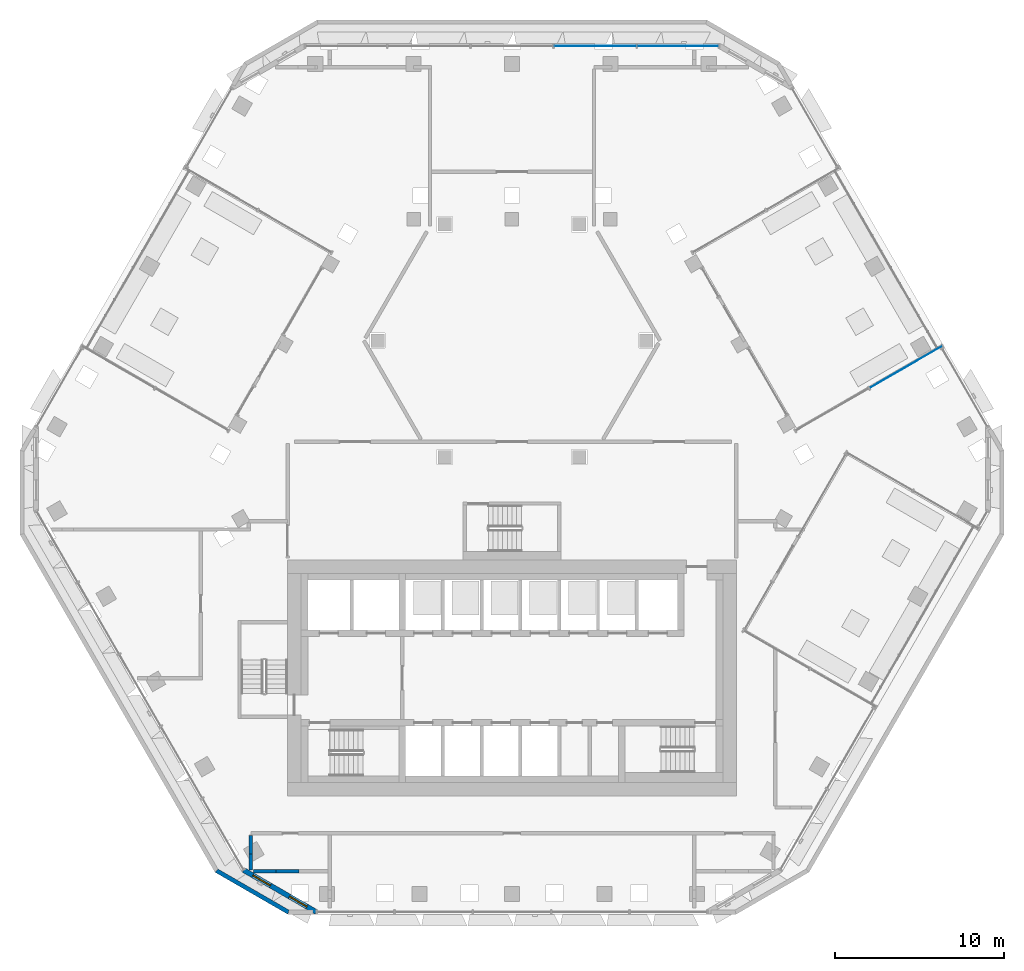
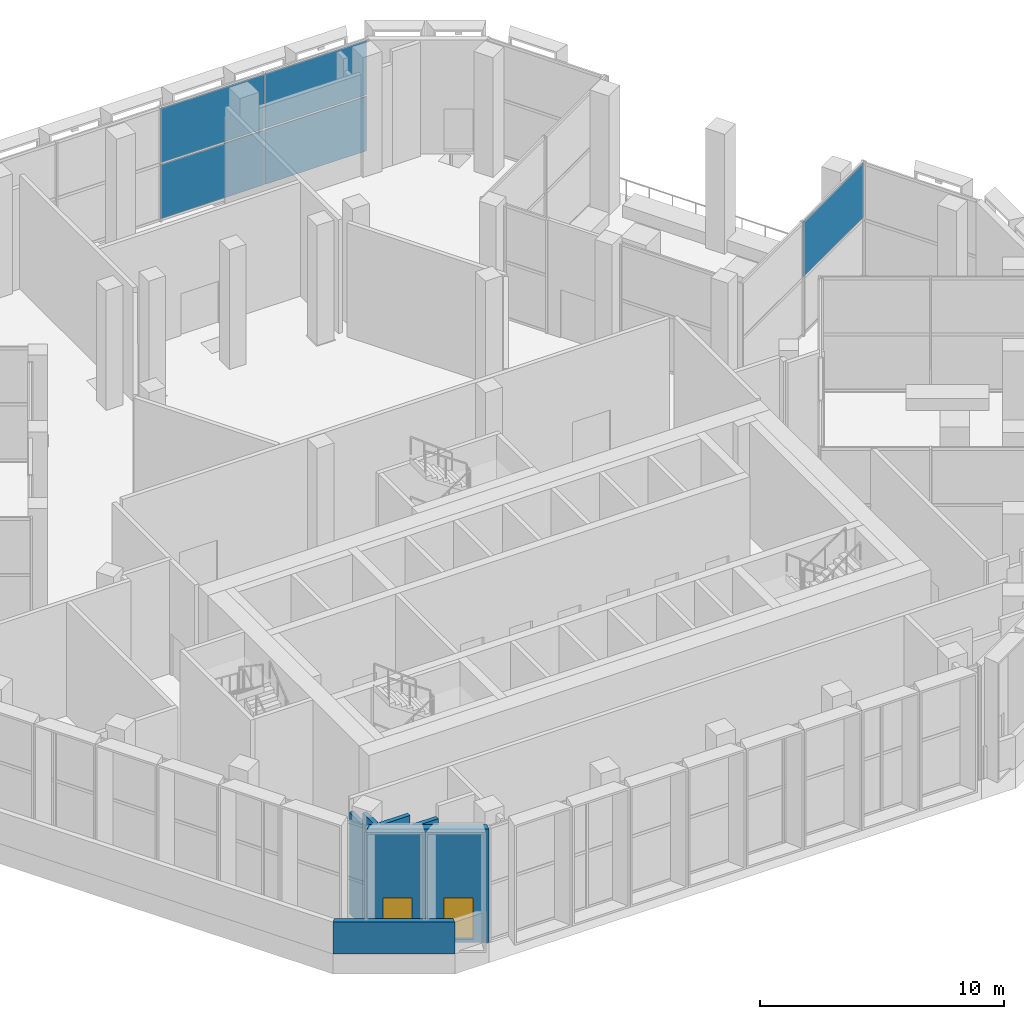
# One storey, part 9 of 27: 6 walls, 5 plates, 2 windows, 2 openings, 2 elements without a shape of their own.
"""IFC4 building model written with IfcOpenShell, lengths in metres."""

from ifc_helpers import new_model, si_unit, direction, frame, frame_2d, origin, origin_2d, place, context, subcontext, project, spatial, polyline, rectangle, outline, extrude, material, layer, layer_set, type_object, element, fill, aggregate, save


model = new_model("IFC4")

# Units and contexts
model_context = context("Model", 3, precision=1e-05, world=origin(), true_north=direction((0.0, 1.0)))
body_context = subcontext(model_context, "Body", "Model", "MODEL_VIEW")
ifc_project = project(units=[si_unit("LENGTHUNIT", "METRE"), si_unit("AREAUNIT", "SQUARE_METRE"), si_unit("VOLUMEUNIT", "CUBIC_METRE"), si_unit("PLANEANGLEUNIT", "RADIAN"), si_unit("MASSUNIT", "GRAM", prefix="KILO")], contexts=[model_context])

# Site, building, storey
site_placement = place(None, origin())
site = spatial("IfcSite", under=ifc_project, at=site_placement, CompositionType="ELEMENT")
building_placement = place(site_placement, origin())
building = spatial("IfcBuilding", under=site, at=building_placement, Name="Beryl Residences", CompositionType="ELEMENT")
storey_placement = place(building_placement, frame((0.0, 0.0, 111.60009765625)))
storey = spatial("IfcBuildingStorey", under=building, at=storey_placement, Name="L34", CompositionType="ELEMENT", Elevation=111.60009765625)

# Curtain wall, plates
ifc_material_1 = material(Name="Aluminium and clear glass", Category="aluminium")
curtain_wall_type = type_object("IfcCurtainWallType", Name="CW3 sky garden glazing glazed wall", PredefinedType="NOTDEFINED", material=ifc_material_1)
curtain_wall_1_placement = place(storey_placement, origin())
curtain_wall_1 = element("IfcCurtainWall", 1, at=curtain_wall_1_placement, inside=storey, type_object=curtain_wall_type, Name="CW3 L34 N", PredefinedType="NOTDEFINED")
ifc_material_2 = material(Name="Clear laminated glass", Category="glass")
ifc_layer_1 = layer(ifc_material_2, 0.028076171875)
ifc_layer_set_1 = layer_set([ifc_layer_1], Name="CW3-P glazing panel 28 mm")
plate_type = type_object("IfcPlateType", Name="CW3-P glazing panel 28 mm", PredefinedType="CURTAIN_PANEL", material=ifc_layer_set_1)
plate_1_placement = place(storey_placement, frame((9.83203125, 25.449951171875, 0.079833984375), z_axis=(0.0, 0.0, 1.0), x_axis=(-1.0, 0.0, 0.0)))
plate_1 = element("IfcPlate", 2, at=plate_1_placement, type_object=plate_type, Name="CW3 panel 1.1", PredefinedType="CURTAIN_PANEL", context=body_context, shape_type="SweptSolid", body=[
    extrude(rectangle(XDim=4.805908203125, YDim=0.028076171875, at=origin_2d()), origin(), (0.0, 0.0, 1.0), 2.72998046875),
])
plate_2_placement = place(storey_placement, frame((9.83203125, 25.449951171875, 2.889892578125), z_axis=(0.0, 0.0, 1.0), x_axis=(-1.0, 0.0, 0.0)))
plate_2 = element("IfcPlate", 3, at=plate_2_placement, type_object=plate_type, Name="CW3 panel 1.2", PredefinedType="CURTAIN_PANEL", context=body_context, shape_type="SweptSolid", body=[
    extrude(rectangle(XDim=4.805908203125, YDim=0.028076171875, at=origin_2d()), origin(), (0.0, 0.0, 1.0), 2.72998046875),
])
plate_3_placement = place(storey_placement, frame((4.926025390625, 25.449951171875, 0.079833984375), z_axis=(0.0, 0.0, 1.0), x_axis=(-1.0, 0.0, 0.0)))
plate_3 = element("IfcPlate", 4, at=plate_3_placement, type_object=plate_type, Name="CW3 panel 2.1", PredefinedType="CURTAIN_PANEL", context=body_context, shape_type="SweptSolid", body=[
    extrude(rectangle(XDim=4.845947265625, YDim=0.028076171875, at=origin_2d()), origin(), (0.0, 0.0, 1.0), 2.72998046875),
])
plate_4_placement = place(storey_placement, frame((4.926025390625, 25.449951171875, 2.889892578125), z_axis=(0.0, 0.0, 1.0), x_axis=(-1.0, 0.0, 0.0)))
plate_4 = element("IfcPlate", 5, at=plate_4_placement, type_object=plate_type, Name="CW3 panel 2.2", PredefinedType="CURTAIN_PANEL", context=body_context, shape_type="SweptSolid", body=[
    extrude(rectangle(XDim=4.845947265625, YDim=0.028076171875, at=origin_2d()), origin(), (0.0, 0.0, 1.0), 2.72998046875),
])
aggregate(curtain_wall_1, [plate_1, plate_2, plate_3, plate_4])

# Curtain wall, plate
curtain_wall_2_placement = place(storey_placement, origin())
curtain_wall_2 = element("IfcCurtainWall", 6, at=curtain_wall_2_placement, inside=storey, type_object=curtain_wall_type, Name="CW3 L34 NE garden left", PredefinedType="NOTDEFINED")
plate_5_placement = place(storey_placement, frame((23.3466796875, 6.435302734375, 2.889892578125), z_axis=(0.0, 0.0, 1.0), x_axis=(-0.866051386658, -0.499954993642, 0.0)))
plate_5 = element("IfcPlate", 7, at=plate_5_placement, type_object=plate_type, Name="CW3 panel 1.2", PredefinedType="CURTAIN_PANEL", context=body_context, shape_type="SweptSolid", body=[
    extrude(rectangle(XDim=4.967529296875, YDim=0.028076171875, at=origin_2d()), origin(), (0.0, 0.0, 1.0), 2.72998046875),
])
aggregate(curtain_wall_2, [plate_5])

# Wall, openings, windows
ifc_material_3 = material(Name="Composite metal panel with mineral wool insulation")
ifc_layer_2 = layer(ifc_material_3, 0.300048828125)
ifc_layer_set_2 = layer_set([ifc_layer_2], Name="ES1 pale metal composite panel wall 300 mm")
wall_type_1 = type_object("IfcWallType", Name="ES1 pale metal composite panel wall 300 mm", PredefinedType="SOLIDWALL", material=ifc_layer_set_2)
wall_1_placement = place(storey_placement, frame((-15.9169921875, -23.3701171875, 0.0), z_axis=(0.0, 0.0, 1.0), x_axis=(0.866022959057, -0.500004234368, 0.0)))
wall_1 = element("IfcWall", 8, at=wall_1_placement, inside=storey, type_object=wall_type_1, Name="ES1 external wall L34 SW-S", PredefinedType="SOLIDWALL", context=body_context, shape_type="SweptSolid", body=[
    extrude(outline(polyline([(0.0, -0.14990234375), (5.0, -0.14990234375), (4.919677734375, 0.14990234375), (0.080322265625, 0.14990234375), (0.0, -0.14990234375)])), origin(), (0.0, 0.0, 1.0), 5.699951171875),
])
opening_1_placement = place(wall_1_placement, frame((0.64990234375, 0.0, 0.14990234375)))
opening_1 = element("IfcOpeningElement", 9, at=opening_1_placement, cuts=wall_1, Name="Opening W2", PredefinedType="OPENING", context=body_context, shape_type="SweptSolid", body=[
    extrude(rectangle(XDim=1.199951171875, YDim=2.10009765625, at=frame_2d((0.60009765625, 1.050048828125))), frame((0.0, 0.159912109375, 0.0), z_axis=(0.0, -1.0, 0.0), x_axis=(1.0, 0.0, 0.0)), (0.0, 0.0, 1.0), 0.320068359375),
])
opening_2_placement = place(wall_1_placement, frame((3.14990234375, 0.0, 0.14990234375)))
opening_2 = element("IfcOpeningElement", 10, at=opening_2_placement, cuts=wall_1, Name="Opening W2", PredefinedType="OPENING", context=body_context, shape_type="SweptSolid", body=[
    extrude(rectangle(XDim=1.199951171875, YDim=2.10009765625, at=frame_2d((0.60009765625, 1.050048828125))), frame((0.0, 0.159912109375, 0.0), z_axis=(0.0, -1.0, 0.0), x_axis=(1.0, 0.0, 0.0)), (0.0, 0.0, 1.0), 0.320068359375),
])
ifc_material_4 = material(Name="Aluminium and clear glass", Category="aluminium")
window_type = type_object("IfcWindowType", Name="W2 chamfer window 1200 x 2100 mm", PartitioningType="SINGLE_PANEL", PredefinedType="WINDOW", material=ifc_material_4)
window_1_placement = place(opening_1_placement, origin())
window_1 = element("IfcWindow", 11, at=window_1_placement, inside=storey, type_object=window_type, Name="W2 window L34 SW-S 1", OverallHeight=2.10009765625, OverallWidth=1.199951171875, PartitioningType="SINGLE_PANEL", PredefinedType="WINDOW", context=body_context, shape_type="SweptSolid", body=[
    extrude(rectangle(XDim=1.199951171875, YDim=2.10009765625, at=frame_2d((0.60009765625, 1.050048828125))), frame((0.0, 0.030029296875, 0.0), z_axis=(0.0, -1.0, 0.0), x_axis=(1.0, 0.0, 0.0)), (0.0, 0.0, 1.0), 0.06005859375),
])
fill(opening_1, window_1)
window_2_placement = place(opening_2_placement, origin())
window_2 = element("IfcWindow", 12, at=window_2_placement, inside=storey, type_object=window_type, Name="W2 window L34 SW-S 2", OverallHeight=2.10009765625, OverallWidth=1.199951171875, PartitioningType="SINGLE_PANEL", PredefinedType="WINDOW", context=body_context, shape_type="SweptSolid", body=[
    extrude(rectangle(XDim=1.199951171875, YDim=2.10009765625, at=frame_2d((0.60009765625, 1.050048828125))), frame((0.0, 0.030029296875, 0.0), z_axis=(0.0, -1.0, 0.0), x_axis=(1.0, 0.0, 0.0)), (0.0, 0.0, 1.0), 0.06005859375),
])
fill(opening_2, window_2)

# Walls
ifc_material_5 = material(Name="Precast concrete C40/50", Category="concrete")
ifc_layer_3 = layer(ifc_material_5, 0.25)
ifc_layer_set_3 = layer_set([ifc_layer_3], Name="PA1 roof parapet 250 mm")
wall_type_2 = type_object("IfcWallType", Name="PA1 roof parapet 250 mm", PredefinedType="PARAPET", material=ifc_layer_set_3)
wall_2_placement = place(storey_placement, frame((-13.217041015625, -25.89208984375, 0.0), z_axis=(0.0, 0.0, 1.0), x_axis=(-0.865877295069, 0.50025644412, 0.0)))
element("IfcWall", 13, at=wall_2_placement, inside=storey, type_object=wall_type_2, Name="PA1 parapet L34 strip 2", PredefinedType="PARAPET", context=body_context, shape_type="SweptSolid", body=[
    extrude(outline(polyline([(0.06689453125, -0.125), (4.932373046875, -0.125), (4.999267578125, 0.125), (0.0, 0.125), (0.06689453125, -0.125)])), origin(), (0.0, 0.0, 1.0), 1.599853515625),
])
ifc_material_6 = material(Name="Cement board with tiles")
ifc_layer_4 = layer(ifc_material_6, 0.199951171875)
ifc_layer_set_4 = layer_set([ifc_layer_4], Name="PT11-200 wet area wall 200 mm")
wall_type_3 = type_object("IfcWallType", Name="PT11-200 wet area wall 200 mm", PredefinedType="PARTITIONING", material=ifc_layer_set_4)
wall_3_placement = place(storey_placement, frame((-15.318115234375, -23.449951171875, 0.0), z_axis=(0.0, 0.0, 1.0), x_axis=(1.0, 0.0, 0.0)))
element("IfcWall", 14, at=wall_3_placement, inside=storey, type_object=wall_type_3, Name="Wall PT11-200 L34 001", PredefinedType="PARTITIONING", context=body_context, shape_type="SweptSolid", body=[
    extrude(rectangle(XDim=1.338134765625, YDim=0.199951171875, at=frame_2d((0.6689453125, 0.0))), origin(), (0.0, 0.0, 1.0), 5.699951171875),
])
wall_4_placement = place(storey_placement, frame((-13.97998046875, -23.449951171875, 0.0), z_axis=(0.0, 0.0, 1.0), x_axis=(1.0, 0.0, 0.0)))
element("IfcWall", 15, at=wall_4_placement, inside=storey, type_object=wall_type_3, Name="Wall PT11-200 L34 002", PredefinedType="PARTITIONING", context=body_context, shape_type="SweptSolid", body=[
    extrude(rectangle(XDim=1.345947265625, YDim=0.199951171875, at=frame_2d((0.6728515625, 0.0))), origin(), (0.0, 0.0, 1.0), 5.06982421875),
])
wall_5_placement = place(storey_placement, frame((-15.472900390625, -23.360107421875, 0.0), z_axis=(0.0, 0.0, 1.0), x_axis=(0.0, 1.0, 0.0)))
element("IfcWall", 16, at=wall_5_placement, inside=storey, type_object=wall_type_3, Name="Wall PT11-200 L34 007", PredefinedType="PARTITIONING", context=body_context, shape_type="SweptSolid", body=[
    extrude(rectangle(XDim=0.93603515625, YDim=0.199951171875, at=frame_2d((0.468017578125, 0.0))), origin(), (0.0, 0.0, 1.0), 5.699951171875),
])
wall_6_placement = place(storey_placement, frame((-15.472900390625, -22.424072265625, 0.0), z_axis=(0.0, 0.0, 1.0), x_axis=(0.0, 1.0, 0.0)))
element("IfcWall", 17, at=wall_6_placement, inside=storey, type_object=wall_type_3, Name="Wall PT11-200 L34 008", PredefinedType="PARTITIONING", context=body_context, shape_type="SweptSolid", body=[
    extrude(rectangle(XDim=1.09814453125, YDim=0.199951171875, at=frame_2d((0.549072265625, 0.0))), origin(), (0.0, 0.0, 1.0), 5.06982421875),
])

save(model, "model.ifc")
